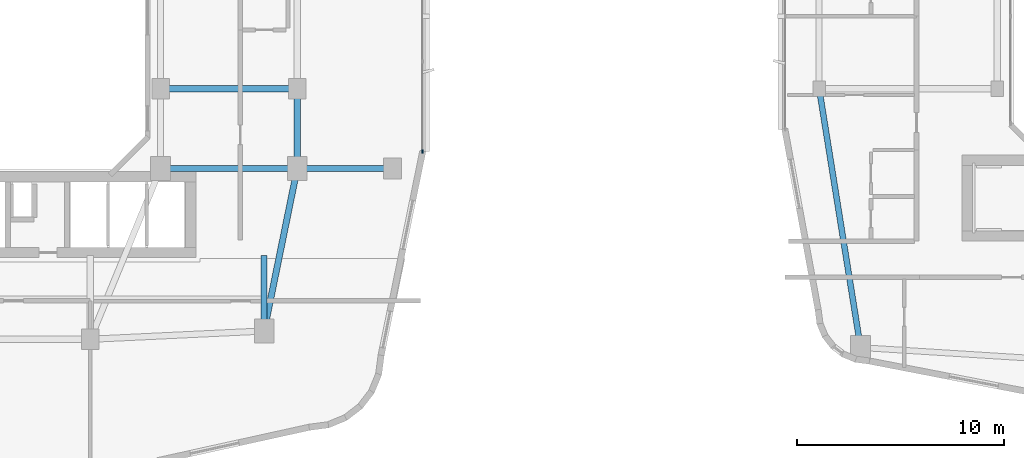
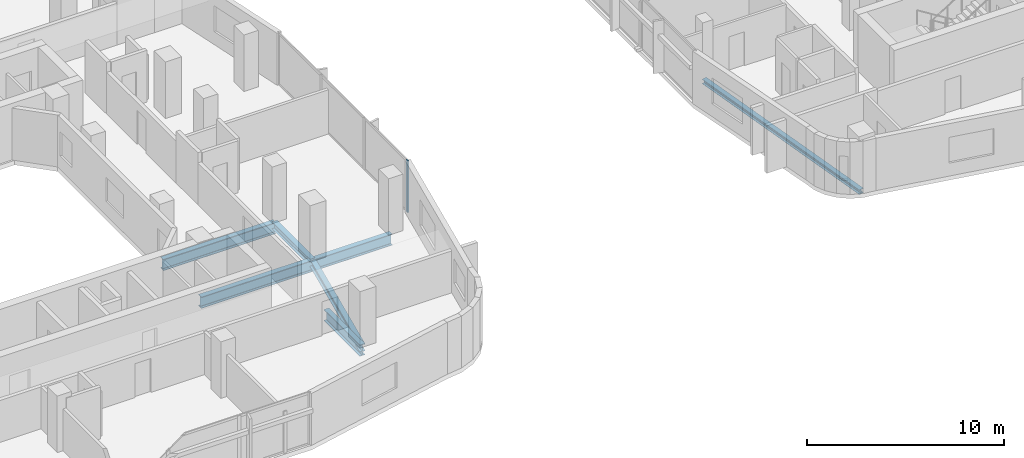
# One storey, part 4 of 25: 7 beams, 1 member, 1 element without a shape of its own.
"""IFC4 building model written with IfcOpenShell, lengths in metres."""

import ifcopenshell
import ifcopenshell.guid

model = None  # the IFC model being written
_history = None  # IfcOwnerHistory: only IFC2X3 demands one
_inside = {}  # id of a spatial element -> (the spatial element, [elements in it])
_under = {}  # id of a project, library or spatial element -> (it, [spatial elements below it])
_declared = {}  # id of a project -> (the project, [libraries it declares])
_typed = {}  # id of a type object -> (the type object, [elements of that type])
_made_of = {}  # id of a material, layer set ... -> (it, [elements and type objects made of it])


def new_model(schema):
    """Start an empty IFC model of exactly this schema.

    Asked for "IFC4X3", IfcOpenShell would pick the latest addendum, in which some entities
    have other attributes; the version numbers below select the first issue.
    IFC2X3 requires an IfcOwnerHistory on every rooted entity: one is made here for all.
    """
    global model, _history
    if schema == "IFC4X3":
        model = ifcopenshell.file(schema_version=(4, 3, 0, 0))
    else:
        model = ifcopenshell.file(schema=schema)
    _inside.clear()
    _under.clear()
    _declared.clear()
    _typed.clear()
    _made_of.clear()
    _history = None
    if model.schema == "IFC2X3":
        org = make("IfcOrganization", Name="unknown")
        user = make(
            "IfcPersonAndOrganization",
            ThePerson=make("IfcPerson", FamilyName="unknown"),
            TheOrganization=org,
        )
        app = make(
            "IfcApplication",
            ApplicationDeveloper=org,
            Version="unknown",
            ApplicationFullName="unknown",
            ApplicationIdentifier="unknown",
        )
        _history = make(
            "IfcOwnerHistory",
            OwningUser=user,
            OwningApplication=app,
            ChangeAction="ADDED",
            CreationDate=0,
        )
    return model


def make(cls, **values):
    """One entity of the class cls with the attributes given. An attribute that is None is left unset."""
    return model.create_entity(
        cls, **{name: value for name, value in values.items() if value is not None}
    )


def rooted(cls, **values):
    """An entity with a GlobalId (a new one), such as an element, a storey or a relation."""
    return make(cls, GlobalId=ifcopenshell.guid.new(), OwnerHistory=_history, **values)


def si_unit(unit_type, name, prefix=None):
    """IfcSIUnit, for example si_unit("LENGTHUNIT", "METRE", prefix="MILLI")."""
    return make("IfcSIUnit", UnitType=unit_type, Prefix=prefix, Name=name)


def derived_unit(unit_type, elements):
    """IfcDerivedUnit: a product of units, each with its exponent."""
    return make(
        "IfcDerivedUnit",
        Elements=[
            make("IfcDerivedUnitElement", Unit=unit, Exponent=power)
            for unit, power in elements
        ],
        UnitType=unit_type,
    )


def assignment(units):
    """IfcUnitAssignment: the units of a project."""
    return None if units is None else make("IfcUnitAssignment", Units=units)


def point(xyz):
    """IfcCartesianPoint."""
    return None if xyz is None else make("IfcCartesianPoint", Coordinates=xyz)


def direction(xyz):
    """IfcDirection."""
    return None if xyz is None else make("IfcDirection", DirectionRatios=xyz)


def frame(location, z_axis=None, x_axis=None):
    """IfcAxis2Placement3D, a coordinate frame: its origin and axes. An axis left out is left unset."""
    return make(
        "IfcAxis2Placement3D",
        Location=point(location),
        Axis=direction(z_axis),
        RefDirection=direction(x_axis),
    )


def frame_2d(location, x_axis=None):
    """IfcAxis2Placement2D, a coordinate frame in the plane: its origin and x axis."""
    return make(
        "IfcAxis2Placement2D", Location=point(location), RefDirection=direction(x_axis)
    )


def origin():
    """The frame at (0, 0, 0) with its axes left unset."""
    return frame((0.0, 0.0, 0.0))


def origin_2d():
    """The frame at (0, 0) in the plane with its x axis left unset."""
    return frame_2d((0.0, 0.0))


def place(relative_to, where):
    """IfcLocalPlacement: puts the frame where relative to a parent placement (None: the world)."""
    return make(
        "IfcLocalPlacement", PlacementRelTo=relative_to, RelativePlacement=where
    )


def context(
    kind, dimensions, precision=None, world=None, true_north=None, identifier=None
):
    """IfcGeometricRepresentationContext, for example the 3D "Model" context."""
    return make(
        "IfcGeometricRepresentationContext",
        ContextIdentifier=identifier,
        ContextType=kind,
        CoordinateSpaceDimension=dimensions,
        Precision=precision,
        WorldCoordinateSystem=world,
        TrueNorth=true_north,
    )


def subcontext(parent, identifier, kind, view, scale=None):
    """IfcGeometricRepresentationSubContext, for example "Body" below "Model"."""
    return make(
        "IfcGeometricRepresentationSubContext",
        ContextIdentifier=identifier,
        ContextType=kind,
        ParentContext=parent,
        TargetScale=scale,
        TargetView=view,
    )


def project(units=None, contexts=None):
    """IfcProject with its units and contexts."""
    return rooted(
        "IfcProject",
        Name="project",
        RepresentationContexts=contexts,
        UnitsInContext=assignment(units),
    )


def spatial(cls, under=None, at=None, **own):
    """A site, building, storey or space (cls), placed at a placement, below another one or the project."""
    s = rooted(cls, ObjectPlacement=at, **own)
    if under is not None:
        _under.setdefault(under.id(), (under, []))[1].append(s)
    return s


def profile(cls, at=None, kind="AREA", **sizes):
    """A parametric profile (cls). Its sizes go by their IFC names, for example OverallWidth=200.0."""
    return make(cls, ProfileType=kind, Position=at, **sizes)


def rectangle(**sizes):
    """IfcRectangleProfileDef."""
    return profile("IfcRectangleProfileDef", **sizes)


def i_section(**sizes):
    """IfcIShapeProfileDef."""
    return profile("IfcIShapeProfileDef", **sizes)


def extrude(swept, where, along, depth):
    """IfcExtrudedAreaSolid: the profile swept, set in the frame where, extruded along a direction by depth."""
    return make(
        "IfcExtrudedAreaSolid",
        SweptArea=swept,
        Position=where,
        ExtrudedDirection=direction(along),
        Depth=depth,
    )


def shape(context_of_items, identifier, shape_type, items):
    """IfcShapeRepresentation: the items that make up one representation, for example the "Body"."""
    return make(
        "IfcShapeRepresentation",
        ContextOfItems=context_of_items,
        RepresentationIdentifier=identifier,
        RepresentationType=shape_type,
        Items=items,
    )


def material(Name=None, Category=None):
    """IfcMaterial."""
    return make("IfcMaterial", Name=Name, Category=Category)


def layer(
    of_material, thickness, ventilated=None, Name=None, Category=None, Priority=None
):
    """IfcMaterialLayer: one layer of a wall or slab, of a material (None: an air gap)."""
    return make(
        "IfcMaterialLayer",
        Material=of_material,
        LayerThickness=thickness,
        IsVentilated=ventilated,
        Name=Name,
        Category=Category,
        Priority=Priority,
    )


def layer_set(layers, Name=None):
    """IfcMaterialLayerSet."""
    return make("IfcMaterialLayerSet", MaterialLayers=layers, LayerSetName=Name)


def material_profile(
    of_material, cross_section, Name=None, Category=None, Priority=None
):
    """IfcMaterialProfile: a cross section and its material."""
    return make(
        "IfcMaterialProfile",
        Name=Name,
        Material=of_material,
        Profile=cross_section,
        Priority=Priority,
        Category=Category,
    )


def profile_set(profiles, Name=None, composite=None):
    """IfcMaterialProfileSet."""
    return make(
        "IfcMaterialProfileSet",
        Name=Name,
        MaterialProfiles=profiles,
        CompositeProfile=composite,
    )


def made_of(thing, what):
    """Note that an element or type object is made of a material, layer set ...; save() writes the relation."""
    if what is not None:
        _made_of.setdefault(what.id(), (what, []))[1].append(thing)
    return thing


def type_object(cls, material=None, **own):
    """A type object (cls), such as IfcWallType, which elements share."""
    return made_of(rooted(cls, **own), material)


def element(
    cls,
    number,
    at=None,
    inside=None,
    cuts=None,
    type_object=None,
    material=None,
    context=None,
    identifier="Body",
    shape_type=None,
    held_by="IfcProductDefinitionShape",
    body=None,
    shapes=None,
    **own,
):
    """One element of the class cls, such as IfcWall. Its Tag is "e" and its number.

    at: its placement. inside: the storey or other place that contains it. cuts: it is an
    opening in that element (IfcRelVoidsElement). A single representation is given by context,
    identifier, shape_type and body (its items); several are given by shapes. held_by: the class
    of the entity that holds the representations. save() writes the other relations.
    """
    e = rooted(cls, Tag="e%d" % number, ObjectPlacement=at, **own)
    if body is not None:
        shapes = [shape(context, identifier, shape_type, body)]
    if shapes is not None:
        e.Representation = make(held_by, Representations=shapes)
    if inside is not None:
        _inside.setdefault(inside.id(), (inside, []))[1].append(e)
    if cuts is not None:
        rooted(
            "IfcRelVoidsElement", RelatingBuildingElement=cuts, RelatedOpeningElement=e
        )
    if type_object is not None:
        _typed.setdefault(type_object.id(), (type_object, []))[1].append(e)
    return made_of(e, material)


def aggregate(whole, parts):
    """IfcRelAggregates: a whole, such as a stair, and the parts it consists of."""
    return rooted("IfcRelAggregates", RelatingObject=whole, RelatedObjects=parts)


def save(model, path):
    """Write the relations noted so far, then the file.

    IfcRelAggregates (storeys below a building ...), IfcRelContainedInSpatialStructure (elements
    in a storey), IfcRelDefinesByType, IfcRelAssociatesMaterial and IfcRelDeclares: one each for
    every whole, place, type object, material and project.
    """
    for whole, parts in _under.values():
        aggregate(whole, parts)
    for where, things in _inside.values():
        rooted(
            "IfcRelContainedInSpatialStructure",
            RelatedElements=things,
            RelatingStructure=where,
        )
    for kind, things in _typed.values():
        rooted("IfcRelDefinesByType", RelatedObjects=things, RelatingType=kind)
    for what, things in _made_of.values():
        rooted("IfcRelAssociatesMaterial", RelatedObjects=things, RelatingMaterial=what)
    for by, libraries in _declared.values():
        rooted("IfcRelDeclares", RelatingContext=by, RelatedDefinitions=libraries)
    model.write(path)


model = new_model("IFC4")

# Units and contexts
model_context = context("Model", 3, precision=1e-05, world=origin(), true_north=direction((0.0, 1.0)))
body_context = subcontext(model_context, "Body", "Model", "MODEL_VIEW")
ifc_project = project(units=[si_unit("LENGTHUNIT", "METRE"), si_unit("AREAUNIT", "SQUARE_METRE"), si_unit("VOLUMEUNIT", "CUBIC_METRE"), si_unit("PLANEANGLEUNIT", "RADIAN"), si_unit("MASSUNIT", "GRAM", prefix="KILO"), derived_unit("THERMALTRANSMITTANCEUNIT", [(si_unit("POWERUNIT", "WATT"), 1), (si_unit("LENGTHUNIT", "METRE"), -2), (si_unit("THERMODYNAMICTEMPERATUREUNIT", "KELVIN"), -1)])], contexts=[model_context])

# Site, building, storey
site_placement = place(None, origin())
site = spatial("IfcSite", under=ifc_project, at=site_placement, CompositionType="ELEMENT")
building_placement = place(site_placement, origin())
building = spatial("IfcBuilding", under=site, at=building_placement, Name="Kivonza Crest Hotel", CompositionType="ELEMENT")
storey_placement = place(building_placement, frame((0.0, 0.0, 83.5)))
storey = spatial("IfcBuildingStorey", under=building, at=storey_placement, Name="L22", CompositionType="ELEMENT", Elevation=83.5)

# Beams
ifc_material_1 = material(Name="Steel S355", Category="steel")
ifc_material_profile_1 = material_profile(ifc_material_1, i_section(OverallWidth=0.280029296875, OverallDepth=0.280029296875, WebThickness=0.010498046875, FlangeThickness=0.01806640625, FilletRadius=0.02392578125, at=origin_2d()), Name="HEB 280")
ifc_profile_set_1 = profile_set([ifc_material_profile_1], Name="Steel S355")
beam_type_1 = type_object("IfcBeamType", Name="BM-HEB280", PredefinedType="SPANDREL", material=ifc_profile_set_1)
beam_1_placement = place(storey_placement, frame((61.0, 21.5, -0.389892578125), z_axis=(0.157990501107, -0.987440631917, 0.0), x_axis=(0.987440631917, 0.157990501107, 0.0)))
element("IfcBeam", 1, at=beam_1_placement, inside=storey, type_object=beam_type_1, Name="Companion Tower T2 L22 perimeter spandrel W1-SW", PredefinedType="SPANDREL", context=body_context, shape_type="SweptSolid", body=[
    extrude(i_section(OverallWidth=0.280029296875, OverallDepth=0.280029296875, WebThickness=0.010498046875, FlangeThickness=0.01806640625, FilletRadius=0.02392578125, at=origin_2d()), origin(), (0.0, 0.0, 1.0), 12.658935546875),
])
ifc_material_profile_2 = material_profile(ifc_material_1, i_section(OverallWidth=0.300048828125, OverallDepth=0.449951171875, WebThickness=0.013916015625, FlangeThickness=0.02587890625, FilletRadius=0.027099609375, at=origin_2d()), Name="HEB 450")
ifc_profile_set_2 = profile_set([ifc_material_profile_2], Name="Steel S355")
beam_type_2 = type_object("IfcBeamType", Name="BM-HEB450", PredefinedType="SPANDREL", material=ifc_profile_set_2)
beam_2_placement = place(storey_placement, frame((34.199951171875, 9.800048828125, -0.5048828125), z_axis=(0.199730733965, 0.979850822273, 0.0), x_axis=(-0.979850822273, 0.199730733965, 0.0)))
element("IfcBeam", 2, at=beam_2_placement, inside=storey, type_object=beam_type_2, Name="Tower T1 L22 perimeter spandrel SE-PSE", PredefinedType="SPANDREL", context=body_context, shape_type="SweptSolid", body=[
    extrude(i_section(OverallWidth=0.300048828125, OverallDepth=0.449951171875, WebThickness=0.013916015625, FlangeThickness=0.02587890625, FilletRadius=0.027099609375, at=origin_2d()), origin(), (0.0, 0.0, 1.0), 8.01123046875),
])
beam_3_placement = place(storey_placement, frame((35.800048828125, 17.64990234375, -0.5048828125), z_axis=(0.0, 1.0, 0.0), x_axis=(-1.0, 0.0, 0.0)))
element("IfcBeam", 3, at=beam_3_placement, inside=storey, type_object=beam_type_2, Name="Tower T1 L22 perimeter spandrel PSE-E1", PredefinedType="SPANDREL", context=body_context, shape_type="SweptSolid", body=[
    extrude(i_section(OverallWidth=0.300048828125, OverallDepth=0.449951171875, WebThickness=0.013916015625, FlangeThickness=0.02587890625, FilletRadius=0.027099609375, at=origin_2d()), origin(), (0.0, 0.0, 1.0), 3.85009765625),
])
ifc_material_profile_3 = material_profile(ifc_material_1, i_section(OverallWidth=0.300048828125, OverallDepth=0.699951171875, WebThickness=0.01708984375, FlangeThickness=0.031982421875, FilletRadius=0.027099609375, at=origin_2d()), Name="HEB 700")
ifc_profile_set_3 = profile_set([ifc_material_profile_3], Name="Steel S355")
beam_type_3 = type_object("IfcBeamType", Name="BM-HEB700", PredefinedType="BEAM", material=ifc_profile_set_3)
for number, where, z_axis, x_axis, name in (
    (4, (29.199951171875, 17.64990234375, -0.6298828125), (1.0, 0.0, 0.0), (0.0, 1.0, 0.0), "Tower T1 L22 primary girder TSE-PSE"),
    (5, (29.199951171875, 21.5, -0.6298828125), (1.0, 0.0, 0.0), (0.0, 1.0, 0.0), "Tower T1 L22 primary girder WR1-E1"),
):
    element("IfcBeam", number, at=place(storey_placement, frame(where, z_axis=z_axis, x_axis=x_axis)), inside=storey, type_object=beam_type_3, Name=name, PredefinedType="BEAM", context=body_context, shape_type="SweptSolid", body=[
        extrude(i_section(OverallWidth=0.300048828125, OverallDepth=0.699951171875, WebThickness=0.01708984375, FlangeThickness=0.031982421875, FilletRadius=0.027099609375, at=origin_2d()), origin(), (0.0, 0.0, 1.0), 6.60009765625),
    ])
beam_4_placement = place(storey_placement, frame((40.39990234375, 17.64990234375, -0.6298828125), z_axis=(-1.0, 0.0, 0.0), x_axis=(0.0, -1.0, 0.0)))
element("IfcBeam", 6, at=beam_4_placement, inside=storey, type_object=beam_type_3, Name="Tower T1 L22 outer bay girder ZE1", PredefinedType="BEAM", context=body_context, shape_type="SweptSolid", body=[
    extrude(i_section(OverallWidth=0.300048828125, OverallDepth=0.699951171875, WebThickness=0.01708984375, FlangeThickness=0.031982421875, FilletRadius=0.027099609375, at=origin_2d()), origin(), (0.0, 0.0, 1.0), 4.599853515625),
])
beam_5_placement = place(storey_placement, frame((34.199951171875, 9.800048828125, -0.6298828125), z_axis=(0.0, 1.0, 0.0), x_axis=(-1.0, 0.0, 0.0)))
element("IfcBeam", 7, at=beam_5_placement, inside=storey, type_object=beam_type_3, Name="Tower T1 L22 radial core girder RSE", PredefinedType="BEAM", context=body_context, shape_type="SweptSolid", body=[
    extrude(i_section(OverallWidth=0.300048828125, OverallDepth=0.699951171875, WebThickness=0.01708984375, FlangeThickness=0.031982421875, FilletRadius=0.027099609375, at=origin_2d()), origin(), (0.0, 0.0, 1.0), 3.64990234375),
])

# Curtain wall, member
ifc_material_2 = material(Name="Anodised bronze aluminium and low-E double glazing", Category="aluminium")
ifc_layer = layer(ifc_material_2, 0.179931640625)
ifc_layer_set = layer_set([ifc_layer], Name="Anodised bronze aluminium and low-E double glazing")
curtain_wall_type = type_object("IfcCurtainWallType", Name="CW-SYS-2", PredefinedType="NOTDEFINED", material=ifc_layer_set)
curtain_wall_placement = place(storey_placement, origin())
curtain_wall = element("IfcCurtainWall", 8, at=curtain_wall_placement, inside=storey, type_object=curtain_wall_type, Name="L22 unitised curtain wall CW-T1-L22-17", PredefinedType="NOTDEFINED")
ifc_material_3 = material(Name="Anodised bronze aluminium", Category="aluminium")
ifc_material_profile_4 = material_profile(ifc_material_3, rectangle(XDim=0.06494140625, YDim=0.179931640625, at=origin_2d()), Name="CW-M 65x180")
ifc_profile_set_4 = profile_set([ifc_material_profile_4], Name="Anodised bronze aluminium")
member_type = type_object("IfcMemberType", Name="CW-MUL-65x180", PredefinedType="MULLION", material=ifc_profile_set_4)
member_placement = place(storey_placement, frame((41.840087890625, 18.472412109375, 0.0), z_axis=(0.0, 0.0, 1.0), x_axis=(-1.0, 0.0, 0.0)))
member = element("IfcMember", 9, at=member_placement, type_object=member_type, Name="CW-2 mullion 1", PredefinedType="MULLION", context=body_context, shape_type="SweptSolid", body=[
    extrude(rectangle(XDim=0.06494140625, YDim=0.179931640625, at=origin_2d()), origin(), (0.0, 0.0, 1.0), 3.219970703125),
])
aggregate(curtain_wall, [member])

save(model, "model.ifc")
